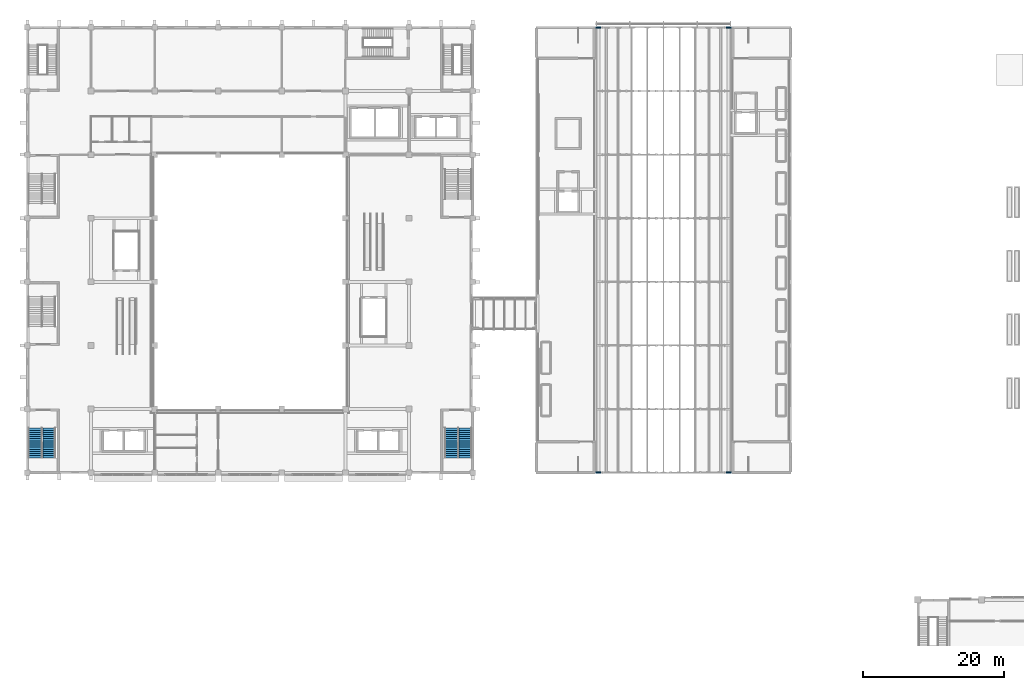
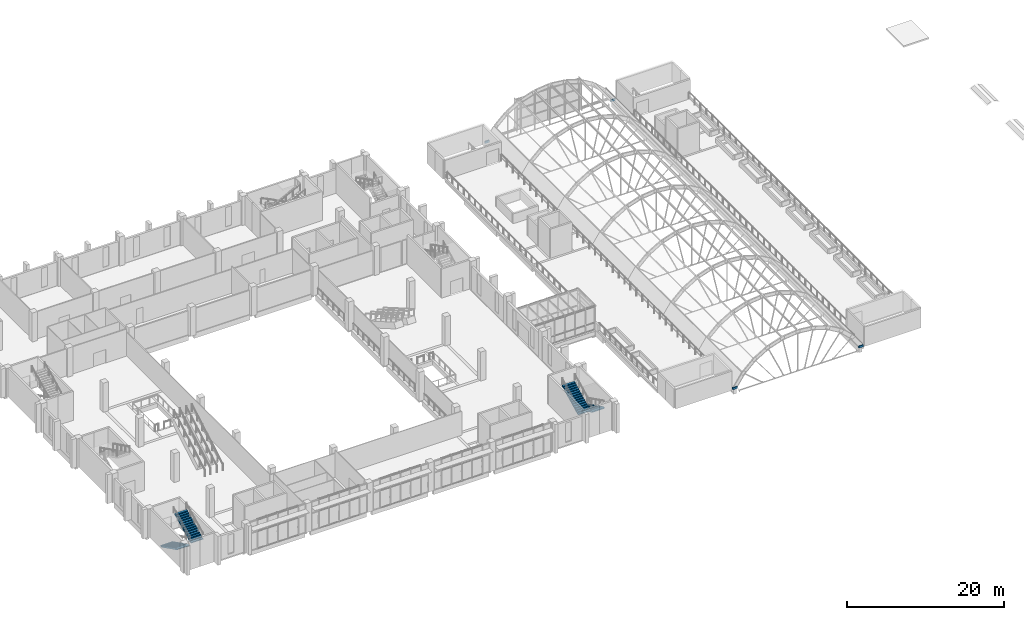
# One storey, part 61 of 79: 4 stair flights, 4 walls, 2 elements without a shape of their own.
"""IFC4 building model written with IfcOpenShell, lengths in metres."""

from ifc_helpers import new_model, si_unit, direction, frame, frame_2d, origin, place, context, subcontext, project, spatial, polyline, rectangle, outline, extrude, material, layer, layer_set, type_object, element, aggregate, save


model = new_model("IFC4")

# Units and contexts
model_context = context("Model", 3, precision=1e-05, world=origin(), true_north=direction((0.0, 1.0)))
body_context = subcontext(model_context, "Body", "Model", "MODEL_VIEW")
ifc_project = project(units=[si_unit("LENGTHUNIT", "METRE"), si_unit("AREAUNIT", "SQUARE_METRE"), si_unit("VOLUMEUNIT", "CUBIC_METRE"), si_unit("PLANEANGLEUNIT", "RADIAN"), si_unit("MASSUNIT", "GRAM", prefix="KILO")], contexts=[model_context])

# Site, building, storey
site_placement = place(None, origin())
site = spatial("IfcSite", under=ifc_project, at=site_placement, CompositionType="ELEMENT")
building_placement = place(site_placement, origin())
building = spatial("IfcBuilding", under=site, at=building_placement, Name="Guidao Yard Department Store", CompositionType="ELEMENT")
storey_placement = place(building_placement, frame((0.0, 0.0, 15.0)))
storey = spatial("IfcBuildingStorey", under=building, at=storey_placement, Name="L03", CompositionType="ELEMENT", Elevation=15.0)

# Walls
ifc_material_1 = material(Name="Concrete C30", Category="concrete")
ifc_layer = layer(ifc_material_1, 0.199951171875)
ifc_layer_set = layer_set([ifc_layer], Name="Roof edge kerb 200 C30")
wall_type = type_object("IfcWallType", Name="Roof edge kerb 200 C30", PredefinedType="PARAPET", material=ifc_layer_set)
for number, where, z_axis, x_axis, name in (
    (1, (80.425048828125, 45.0, 0.0), (0.0, 0.0, 1.0), (1.0, 0.0, 0.0), "Roof edge kerb"),
    (2, (80.425048828125, 108.0, 0.0), (0.0, 0.0, 1.0), (1.0, 0.0, 0.0), "Roof edge kerb"),
    (3, (98.89990234375, 45.0, 0.0), (0.0, 0.0, 1.0), (1.0, 0.0, 0.0), "Roof edge kerb"),
    (4, (98.89990234375, 108.0, 0.0), (0.0, 0.0, 1.0), (1.0, 0.0, 0.0), "Roof edge kerb"),
):
    element("IfcWall", number, at=place(storey_placement, frame(where, z_axis=z_axis, x_axis=x_axis)), inside=storey, type_object=wall_type, Name=name, PredefinedType="PARAPET", context=body_context, shape_type="SweptSolid", body=[
        extrude(rectangle(XDim=0.675048828125, YDim=0.199951171875, at=frame_2d((0.33740234375, 0.0))), origin(), (0.0, 0.0, 1.0), 0.300048828125),
    ])

# Stair, stair flights
ifc_material_2 = material(Name="Concrete C35", Category="concrete")
stair_type = type_object("IfcStairType", Name="Stair half-turn two-flight 1800 wide 4.5 m rise", PredefinedType="HALF_TURN_STAIR", material=ifc_material_2)
stair_1_placement = place(storey_placement, origin())
stair_1 = element("IfcStair", 5, at=stair_1_placement, inside=storey, type_object=stair_type, Name="Stair A2 L03 to L04", PredefinedType="HALF_TURN_STAIR")
ifc_material_3 = material(Name="Concrete C35", Category="concrete")
stair_flight_type = type_object("IfcStairFlightType", Name="Stair flight RC straight 1800 wide 15 risers x 300 going C35", PredefinedType="STRAIGHT", material=ifc_material_3)
stair_flight_1_placement = place(storey_placement, frame((61.97509765625, 51.300048828125, 0.0), z_axis=(0.0, 0.0, 1.0), x_axis=(0.0, -1.0, 0.0)))
stair_flight_1 = element("IfcStairFlight", 6, at=stair_flight_1_placement, type_object=stair_flight_type, Name="SA2-L03 flight 1", NumberOfRisers=15, NumberOfTreads=14, PredefinedType="STRAIGHT", RiserHeight=0.15, TreadLength=0.3, context=body_context, shape_type="SweptSolid", body=[
    extrude(outline(polyline([(0.0, 0.0), (0.0, 0.14990234375), (0.300048828125, 0.14990234375), (0.300048828125, 0.300048828125), (0.60009765625, 0.300048828125), (0.60009765625, 0.449951171875), (0.89990234375, 0.449951171875), (0.89990234375, 0.60009765625), (1.199951171875, 0.60009765625), (1.199951171875, 0.75), (1.5, 0.75), (1.5, 0.89990234375), (1.800048828125, 0.89990234375), (1.800048828125, 1.050048828125), (2.10009765625, 1.050048828125), (2.10009765625, 1.199951171875), (2.39990234375, 1.199951171875), (2.39990234375, 1.35009765625), (2.699951171875, 1.35009765625), (2.699951171875, 1.5), (3.0, 1.5), (3.0, 1.64990234375), (3.300048828125, 1.64990234375), (3.300048828125, 1.800048828125), (3.60009765625, 1.800048828125), (3.60009765625, 1.949951171875), (3.89990234375, 1.949951171875), (3.89990234375, 2.10009765625), (4.199951171875, 2.10009765625), (4.199951171875, 2.25), (4.199951171875, 1.932373046875), (0.335205078125, 0.0), (0.0, 0.0)])), frame((0.0, 0.89990234375, 0.0), z_axis=(0.0, -1.0, 0.0), x_axis=(1.0, 0.0, 0.0)), (0.0, 0.0, 1.0), 1.800048828125),
])
stair_flight_2_placement = place(storey_placement, frame((59.925048828125, 47.10009765625, 2.25), z_axis=(0.0, 0.0, 1.0), x_axis=(0.0, 1.0, 0.0)))
stair_flight_2 = element("IfcStairFlight", 7, at=stair_flight_2_placement, type_object=stair_flight_type, Name="SA2-L03 flight 2", NumberOfRisers=15, NumberOfTreads=14, PredefinedType="STRAIGHT", RiserHeight=0.15, TreadLength=0.3, context=body_context, shape_type="SweptSolid", body=[
    extrude(outline(polyline([(0.0, 0.0), (0.0, 0.14990234375), (0.300048828125, 0.14990234375), (0.300048828125, 0.300048828125), (0.60009765625, 0.300048828125), (0.60009765625, 0.449951171875), (0.89990234375, 0.449951171875), (0.89990234375, 0.60009765625), (1.199951171875, 0.60009765625), (1.199951171875, 0.75), (1.5, 0.75), (1.5, 0.89990234375), (1.800048828125, 0.89990234375), (1.800048828125, 1.050048828125), (2.10009765625, 1.050048828125), (2.10009765625, 1.199951171875), (2.39990234375, 1.199951171875), (2.39990234375, 1.35009765625), (2.699951171875, 1.35009765625), (2.699951171875, 1.5), (3.0, 1.5), (3.0, 1.64990234375), (3.300048828125, 1.64990234375), (3.300048828125, 1.800048828125), (3.60009765625, 1.800048828125), (3.60009765625, 1.949951171875), (3.89990234375, 1.949951171875), (3.89990234375, 2.10009765625), (4.199951171875, 2.10009765625), (4.199951171875, 2.25), (4.199951171875, 1.932373046875), (0.335205078125, 0.0), (0.0, 0.0)])), frame((0.0, 0.89990234375, 0.0), z_axis=(0.0, -1.0, 0.0), x_axis=(1.0, 0.0, 0.0)), (0.0, 0.0, 1.0), 1.800048828125),
])
aggregate(stair_1, [stair_flight_1, stair_flight_2])

stair_2_placement = place(storey_placement, origin())
stair_2 = element("IfcStair", 8, at=stair_2_placement, inside=storey, type_object=stair_type, Name="Stair A8 L03 to L04", PredefinedType="HALF_TURN_STAIR")
stair_flight_3_placement = place(storey_placement, frame((1.02490234375, 51.300048828125, 0.0), z_axis=(0.0, 0.0, 1.0), x_axis=(0.0, -1.0, 0.0)))
stair_flight_3 = element("IfcStairFlight", 9, at=stair_flight_3_placement, type_object=stair_flight_type, Name="SA8-L03 flight 1", NumberOfRisers=15, NumberOfTreads=14, PredefinedType="STRAIGHT", RiserHeight=0.15, TreadLength=0.3, context=body_context, shape_type="SweptSolid", body=[
    extrude(outline(polyline([(0.0, 0.0), (0.0, 0.14990234375), (0.300048828125, 0.14990234375), (0.300048828125, 0.300048828125), (0.60009765625, 0.300048828125), (0.60009765625, 0.449951171875), (0.89990234375, 0.449951171875), (0.89990234375, 0.60009765625), (1.199951171875, 0.60009765625), (1.199951171875, 0.75), (1.5, 0.75), (1.5, 0.89990234375), (1.800048828125, 0.89990234375), (1.800048828125, 1.050048828125), (2.10009765625, 1.050048828125), (2.10009765625, 1.199951171875), (2.39990234375, 1.199951171875), (2.39990234375, 1.35009765625), (2.699951171875, 1.35009765625), (2.699951171875, 1.5), (3.0, 1.5), (3.0, 1.64990234375), (3.300048828125, 1.64990234375), (3.300048828125, 1.800048828125), (3.60009765625, 1.800048828125), (3.60009765625, 1.949951171875), (3.89990234375, 1.949951171875), (3.89990234375, 2.10009765625), (4.199951171875, 2.10009765625), (4.199951171875, 2.25), (4.199951171875, 1.932373046875), (0.335205078125, 0.0), (0.0, 0.0)])), frame((0.0, 0.89990234375, 0.0), z_axis=(0.0, -1.0, 0.0), x_axis=(1.0, 0.0, 0.0)), (0.0, 0.0, 1.0), 1.800048828125),
])
stair_flight_4_placement = place(storey_placement, frame((3.074951171875, 47.10009765625, 2.25), z_axis=(0.0, 0.0, 1.0), x_axis=(0.0, 1.0, 0.0)))
stair_flight_4 = element("IfcStairFlight", 10, at=stair_flight_4_placement, type_object=stair_flight_type, Name="SA8-L03 flight 2", NumberOfRisers=15, NumberOfTreads=14, PredefinedType="STRAIGHT", RiserHeight=0.15, TreadLength=0.3, context=body_context, shape_type="SweptSolid", body=[
    extrude(outline(polyline([(0.0, 0.0), (0.0, 0.14990234375), (0.300048828125, 0.14990234375), (0.300048828125, 0.300048828125), (0.60009765625, 0.300048828125), (0.60009765625, 0.449951171875), (0.89990234375, 0.449951171875), (0.89990234375, 0.60009765625), (1.199951171875, 0.60009765625), (1.199951171875, 0.75), (1.5, 0.75), (1.5, 0.89990234375), (1.800048828125, 0.89990234375), (1.800048828125, 1.050048828125), (2.10009765625, 1.050048828125), (2.10009765625, 1.199951171875), (2.39990234375, 1.199951171875), (2.39990234375, 1.35009765625), (2.699951171875, 1.35009765625), (2.699951171875, 1.5), (3.0, 1.5), (3.0, 1.64990234375), (3.300048828125, 1.64990234375), (3.300048828125, 1.800048828125), (3.60009765625, 1.800048828125), (3.60009765625, 1.949951171875), (3.89990234375, 1.949951171875), (3.89990234375, 2.10009765625), (4.199951171875, 2.10009765625), (4.199951171875, 2.25), (4.199951171875, 1.932373046875), (0.335205078125, 0.0), (0.0, 0.0)])), frame((0.0, 0.89990234375, 0.0), z_axis=(0.0, -1.0, 0.0), x_axis=(1.0, 0.0, 0.0)), (0.0, 0.0, 1.0), 1.800048828125),
])
aggregate(stair_2, [stair_flight_3, stair_flight_4])

save(model, "model.ifc")
